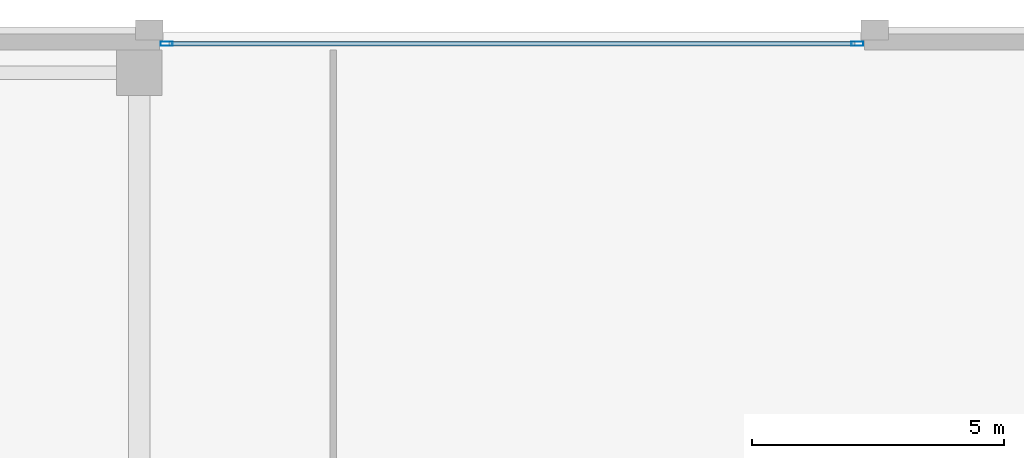
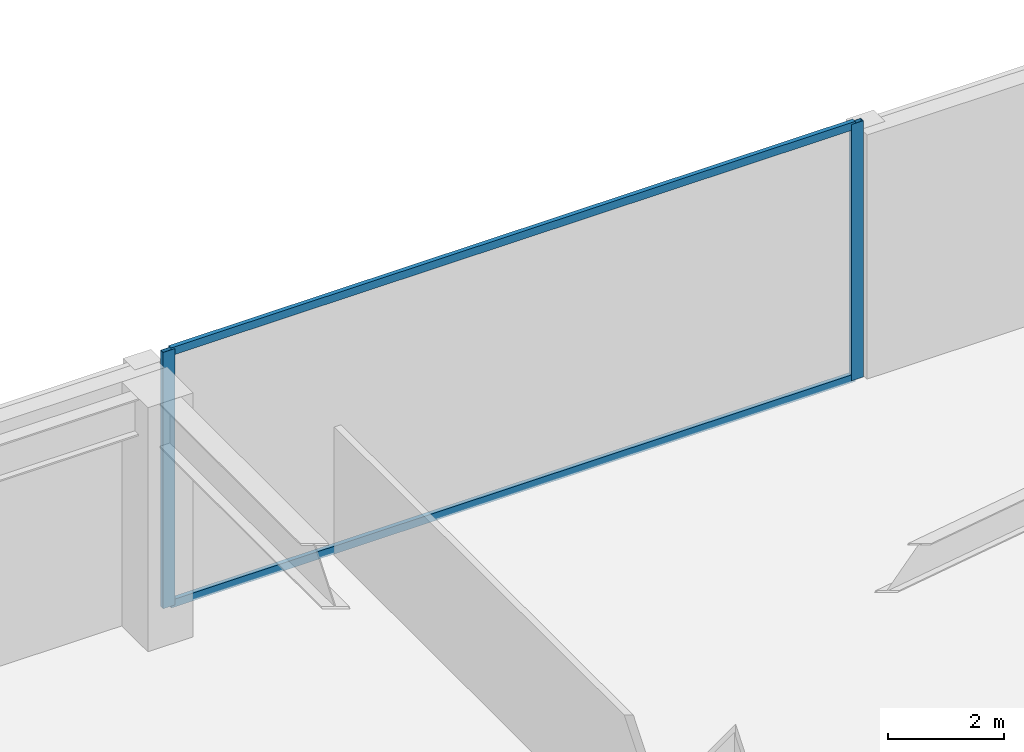
# One storey, part 12 of 48: 4 members, 1 element without a shape of its own.
"""IFC4 building model written with IfcOpenShell, lengths in metres."""

import ifcopenshell
import ifcopenshell.guid

model = None  # the IFC model being written
_history = None  # IfcOwnerHistory: only IFC2X3 demands one
_inside = {}  # id of a spatial element -> (the spatial element, [elements in it])
_under = {}  # id of a project, library or spatial element -> (it, [spatial elements below it])
_declared = {}  # id of a project -> (the project, [libraries it declares])
_typed = {}  # id of a type object -> (the type object, [elements of that type])
_made_of = {}  # id of a material, layer set ... -> (it, [elements and type objects made of it])


def new_model(schema):
    """Start an empty IFC model of exactly this schema.

    Asked for "IFC4X3", IfcOpenShell would pick the latest addendum, in which some entities
    have other attributes; the version numbers below select the first issue.
    IFC2X3 requires an IfcOwnerHistory on every rooted entity: one is made here for all.
    """
    global model, _history
    if schema == "IFC4X3":
        model = ifcopenshell.file(schema_version=(4, 3, 0, 0))
    else:
        model = ifcopenshell.file(schema=schema)
    _inside.clear()
    _under.clear()
    _declared.clear()
    _typed.clear()
    _made_of.clear()
    _history = None
    if model.schema == "IFC2X3":
        org = make("IfcOrganization", Name="unknown")
        user = make(
            "IfcPersonAndOrganization",
            ThePerson=make("IfcPerson", FamilyName="unknown"),
            TheOrganization=org,
        )
        app = make(
            "IfcApplication",
            ApplicationDeveloper=org,
            Version="unknown",
            ApplicationFullName="unknown",
            ApplicationIdentifier="unknown",
        )
        _history = make(
            "IfcOwnerHistory",
            OwningUser=user,
            OwningApplication=app,
            ChangeAction="ADDED",
            CreationDate=0,
        )
    return model


def make(cls, **values):
    """One entity of the class cls with the attributes given. An attribute that is None is left unset."""
    return model.create_entity(
        cls, **{name: value for name, value in values.items() if value is not None}
    )


def rooted(cls, **values):
    """An entity with a GlobalId (a new one), such as an element, a storey or a relation."""
    return make(cls, GlobalId=ifcopenshell.guid.new(), OwnerHistory=_history, **values)


def si_unit(unit_type, name, prefix=None):
    """IfcSIUnit, for example si_unit("LENGTHUNIT", "METRE", prefix="MILLI")."""
    return make("IfcSIUnit", UnitType=unit_type, Prefix=prefix, Name=name)


def assignment(units):
    """IfcUnitAssignment: the units of a project."""
    return None if units is None else make("IfcUnitAssignment", Units=units)


def point(xyz):
    """IfcCartesianPoint."""
    return None if xyz is None else make("IfcCartesianPoint", Coordinates=xyz)


def direction(xyz):
    """IfcDirection."""
    return None if xyz is None else make("IfcDirection", DirectionRatios=xyz)


def frame(location, z_axis=None, x_axis=None):
    """IfcAxis2Placement3D, a coordinate frame: its origin and axes. An axis left out is left unset."""
    return make(
        "IfcAxis2Placement3D",
        Location=point(location),
        Axis=direction(z_axis),
        RefDirection=direction(x_axis),
    )


def frame_2d(location, x_axis=None):
    """IfcAxis2Placement2D, a coordinate frame in the plane: its origin and x axis."""
    return make(
        "IfcAxis2Placement2D", Location=point(location), RefDirection=direction(x_axis)
    )


def origin():
    """The frame at (0, 0, 0) with its axes left unset."""
    return frame((0.0, 0.0, 0.0))


def origin_2d():
    """The frame at (0, 0) in the plane with its x axis left unset."""
    return frame_2d((0.0, 0.0))


def place(relative_to, where):
    """IfcLocalPlacement: puts the frame where relative to a parent placement (None: the world)."""
    return make(
        "IfcLocalPlacement", PlacementRelTo=relative_to, RelativePlacement=where
    )


def context(
    kind, dimensions, precision=None, world=None, true_north=None, identifier=None
):
    """IfcGeometricRepresentationContext, for example the 3D "Model" context."""
    return make(
        "IfcGeometricRepresentationContext",
        ContextIdentifier=identifier,
        ContextType=kind,
        CoordinateSpaceDimension=dimensions,
        Precision=precision,
        WorldCoordinateSystem=world,
        TrueNorth=true_north,
    )


def subcontext(parent, identifier, kind, view, scale=None):
    """IfcGeometricRepresentationSubContext, for example "Body" below "Model"."""
    return make(
        "IfcGeometricRepresentationSubContext",
        ContextIdentifier=identifier,
        ContextType=kind,
        ParentContext=parent,
        TargetScale=scale,
        TargetView=view,
    )


def project(units=None, contexts=None):
    """IfcProject with its units and contexts."""
    return rooted(
        "IfcProject",
        Name="project",
        RepresentationContexts=contexts,
        UnitsInContext=assignment(units),
    )


def spatial(cls, under=None, at=None, **own):
    """A site, building, storey or space (cls), placed at a placement, below another one or the project."""
    s = rooted(cls, ObjectPlacement=at, **own)
    if under is not None:
        _under.setdefault(under.id(), (under, []))[1].append(s)
    return s


def profile(cls, at=None, kind="AREA", **sizes):
    """A parametric profile (cls). Its sizes go by their IFC names, for example OverallWidth=200.0."""
    return make(cls, ProfileType=kind, Position=at, **sizes)


def hollow_rectangle(**sizes):
    """IfcRectangleHollowProfileDef."""
    return profile("IfcRectangleHollowProfileDef", **sizes)


def extrude(swept, where, along, depth):
    """IfcExtrudedAreaSolid: the profile swept, set in the frame where, extruded along a direction by depth."""
    return make(
        "IfcExtrudedAreaSolid",
        SweptArea=swept,
        Position=where,
        ExtrudedDirection=direction(along),
        Depth=depth,
    )


def shape(context_of_items, identifier, shape_type, items):
    """IfcShapeRepresentation: the items that make up one representation, for example the "Body"."""
    return make(
        "IfcShapeRepresentation",
        ContextOfItems=context_of_items,
        RepresentationIdentifier=identifier,
        RepresentationType=shape_type,
        Items=items,
    )


def material(Name=None, Category=None):
    """IfcMaterial."""
    return make("IfcMaterial", Name=Name, Category=Category)


def material_profile(
    of_material, cross_section, Name=None, Category=None, Priority=None
):
    """IfcMaterialProfile: a cross section and its material."""
    return make(
        "IfcMaterialProfile",
        Name=Name,
        Material=of_material,
        Profile=cross_section,
        Priority=Priority,
        Category=Category,
    )


def profile_set(profiles, Name=None, composite=None):
    """IfcMaterialProfileSet."""
    return make(
        "IfcMaterialProfileSet",
        Name=Name,
        MaterialProfiles=profiles,
        CompositeProfile=composite,
    )


def made_of(thing, what):
    """Note that an element or type object is made of a material, layer set ...; save() writes the relation."""
    if what is not None:
        _made_of.setdefault(what.id(), (what, []))[1].append(thing)
    return thing


def type_object(cls, material=None, **own):
    """A type object (cls), such as IfcWallType, which elements share."""
    return made_of(rooted(cls, **own), material)


def element(
    cls,
    number,
    at=None,
    inside=None,
    cuts=None,
    type_object=None,
    material=None,
    context=None,
    identifier="Body",
    shape_type=None,
    held_by="IfcProductDefinitionShape",
    body=None,
    shapes=None,
    **own,
):
    """One element of the class cls, such as IfcWall. Its Tag is "e" and its number.

    at: its placement. inside: the storey or other place that contains it. cuts: it is an
    opening in that element (IfcRelVoidsElement). A single representation is given by context,
    identifier, shape_type and body (its items); several are given by shapes. held_by: the class
    of the entity that holds the representations. save() writes the other relations.
    """
    e = rooted(cls, Tag="e%d" % number, ObjectPlacement=at, **own)
    if body is not None:
        shapes = [shape(context, identifier, shape_type, body)]
    if shapes is not None:
        e.Representation = make(held_by, Representations=shapes)
    if inside is not None:
        _inside.setdefault(inside.id(), (inside, []))[1].append(e)
    if cuts is not None:
        rooted(
            "IfcRelVoidsElement", RelatingBuildingElement=cuts, RelatedOpeningElement=e
        )
    if type_object is not None:
        _typed.setdefault(type_object.id(), (type_object, []))[1].append(e)
    return made_of(e, material)


def aggregate(whole, parts):
    """IfcRelAggregates: a whole, such as a stair, and the parts it consists of."""
    return rooted("IfcRelAggregates", RelatingObject=whole, RelatedObjects=parts)


def save(model, path):
    """Write the relations noted so far, then the file.

    IfcRelAggregates (storeys below a building ...), IfcRelContainedInSpatialStructure (elements
    in a storey), IfcRelDefinesByType, IfcRelAssociatesMaterial and IfcRelDeclares: one each for
    every whole, place, type object, material and project.
    """
    for whole, parts in _under.values():
        aggregate(whole, parts)
    for where, things in _inside.values():
        rooted(
            "IfcRelContainedInSpatialStructure",
            RelatedElements=things,
            RelatingStructure=where,
        )
    for kind, things in _typed.values():
        rooted("IfcRelDefinesByType", RelatedObjects=things, RelatingType=kind)
    for what, things in _made_of.values():
        rooted("IfcRelAssociatesMaterial", RelatedObjects=things, RelatingMaterial=what)
    for by, libraries in _declared.values():
        rooted("IfcRelDeclares", RelatingContext=by, RelatedDefinitions=libraries)
    model.write(path)


model = new_model("IFC4")

# Units and contexts
model_context = context("Model", 3, precision=1e-05, world=origin(), true_north=direction((0.0, 1.0)))
body_context = subcontext(model_context, "Body", "Model", "MODEL_VIEW")
ifc_project = project(units=[si_unit("LENGTHUNIT", "METRE"), si_unit("AREAUNIT", "SQUARE_METRE"), si_unit("VOLUMEUNIT", "CUBIC_METRE"), si_unit("PLANEANGLEUNIT", "RADIAN"), si_unit("MASSUNIT", "GRAM", prefix="KILO")], contexts=[model_context])

# Site, building, storey
site_placement = place(None, origin())
site = spatial("IfcSite", under=ifc_project, at=site_placement, CompositionType="ELEMENT")
building_placement = place(site_placement, origin())
building = spatial("IfcBuilding", under=site, at=building_placement, Name="Tashvorn Skyway Center", CompositionType="ELEMENT")
storey_placement = place(building_placement, frame((0.0, 0.0, 10.199951171875)))
storey = spatial("IfcBuildingStorey", under=building, at=storey_placement, Name="L02", CompositionType="ELEMENT", Elevation=10.199951171875)

# Curtain wall, members
ifc_material = material(Name="Thermally broken bronze-anodized aluminium 6063-T6", Category="aluminium")
curtain_wall_type = type_object("IfcCurtainWallType", Name="CW-CW-Z1", PredefinedType="NOTDEFINED", material=ifc_material)
curtain_wall_placement = place(storey_placement, origin())
curtain_wall = element("IfcCurtainWall", 1, at=curtain_wall_placement, inside=storey, type_object=curtain_wall_type, Name="L02 North Station Arcade Curtain Wall 1", PredefinedType="NOTDEFINED")
ifc_material_profile_1 = material_profile(ifc_material, hollow_rectangle(XDim=0.0849609375, YDim=0.239990234375, WallThickness=0.0048828125, at=origin_2d()), Name="ALU-MULL-85x240")
ifc_profile_set_1 = profile_set([ifc_material_profile_1], Name="Thermally broken bronze-anodized aluminium 6063-T6")
member_type_1 = type_object("IfcMemberType", Name="CWM-CW-Z1", PredefinedType="MULLION", material=ifc_profile_set_1)
member_1_placement = place(storey_placement, frame((18.142578125, 63.780029296875, 0.0), z_axis=(0.0, 0.0, 1.0), x_axis=(0.0, 1.0, 0.0)))
member_1 = element("IfcMember", 2, at=member_1_placement, type_object=member_type_1, Name="CW-Z1 mullion 1", PredefinedType="MULLION", context=body_context, shape_type="SweptSolid", body=[
    extrude(hollow_rectangle(XDim=0.0849609375, YDim=0.239990234375, WallThickness=0.0048828125, at=origin_2d()), origin(), (0.0, 0.0, 1.0), 5.400146484375),
])
member_2_placement = place(storey_placement, frame((31.857421875, 63.780029296875, 0.0), z_axis=(0.0, 0.0, 1.0), x_axis=(0.0, 1.0, 0.0)))
member_2 = element("IfcMember", 3, at=member_2_placement, type_object=member_type_1, Name="CW-Z1 mullion 2", PredefinedType="MULLION", context=body_context, shape_type="SweptSolid", body=[
    extrude(hollow_rectangle(XDim=0.0849609375, YDim=0.239990234375, WallThickness=0.0048828125, at=origin_2d()), origin(), (0.0, 0.0, 1.0), 5.400146484375),
])
ifc_material_profile_2 = material_profile(ifc_material, hollow_rectangle(XDim=0.0849609375, YDim=0.1650390625, WallThickness=0.0048828125, at=origin_2d()), Name="ALU-TRAN-85x165")
ifc_profile_set_2 = profile_set([ifc_material_profile_2], Name="Thermally broken bronze-anodized aluminium 6063-T6")
member_type_2 = type_object("IfcMemberType", Name="CWT-CW-Z1", PredefinedType="USERDEFINED", material=ifc_profile_set_2)
member_3_placement = place(storey_placement, frame((18.18505859375, 63.780029296875, 0.04248046875), z_axis=(1.0, 0.0, 0.0), x_axis=(0.0, 1.0, 0.0)))
member_3 = element("IfcMember", 4, at=member_3_placement, type_object=member_type_2, Name="CW-Z1 transom 1.1", ObjectType="TRANSOM", PredefinedType="USERDEFINED", context=body_context, shape_type="SweptSolid", body=[
    extrude(hollow_rectangle(XDim=0.0849609375, YDim=0.1650390625, WallThickness=0.0048828125, at=origin_2d()), origin(), (0.0, 0.0, 1.0), 13.6298828125),
])
member_4_placement = place(storey_placement, frame((18.18505859375, 63.780029296875, 5.357666015625), z_axis=(1.0, 0.0, 0.0), x_axis=(0.0, 1.0, 0.0)))
member_4 = element("IfcMember", 5, at=member_4_placement, type_object=member_type_2, Name="CW-Z1 transom 1.2", ObjectType="TRANSOM", PredefinedType="USERDEFINED", context=body_context, shape_type="SweptSolid", body=[
    extrude(hollow_rectangle(XDim=0.0849609375, YDim=0.1650390625, WallThickness=0.0048828125, at=origin_2d()), origin(), (0.0, 0.0, 1.0), 13.6298828125),
])
aggregate(curtain_wall, [member_1, member_2, member_3, member_4])

save(model, "model.ifc")
